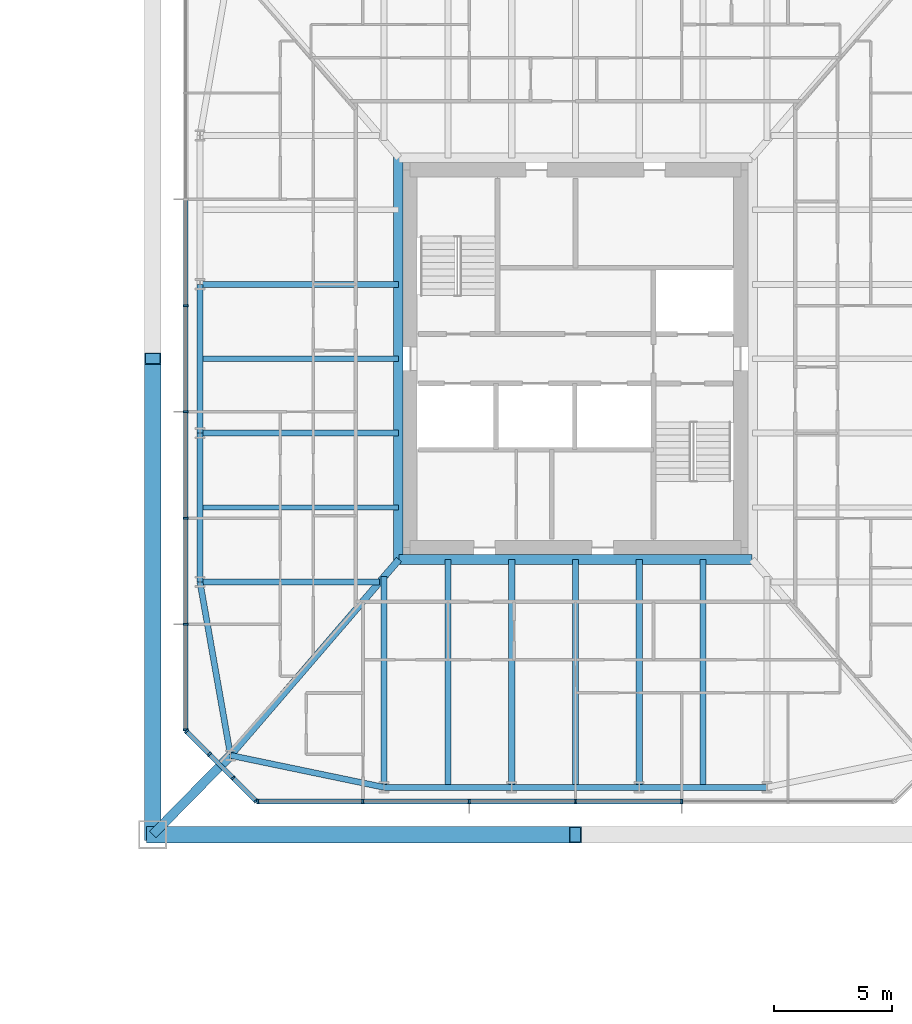
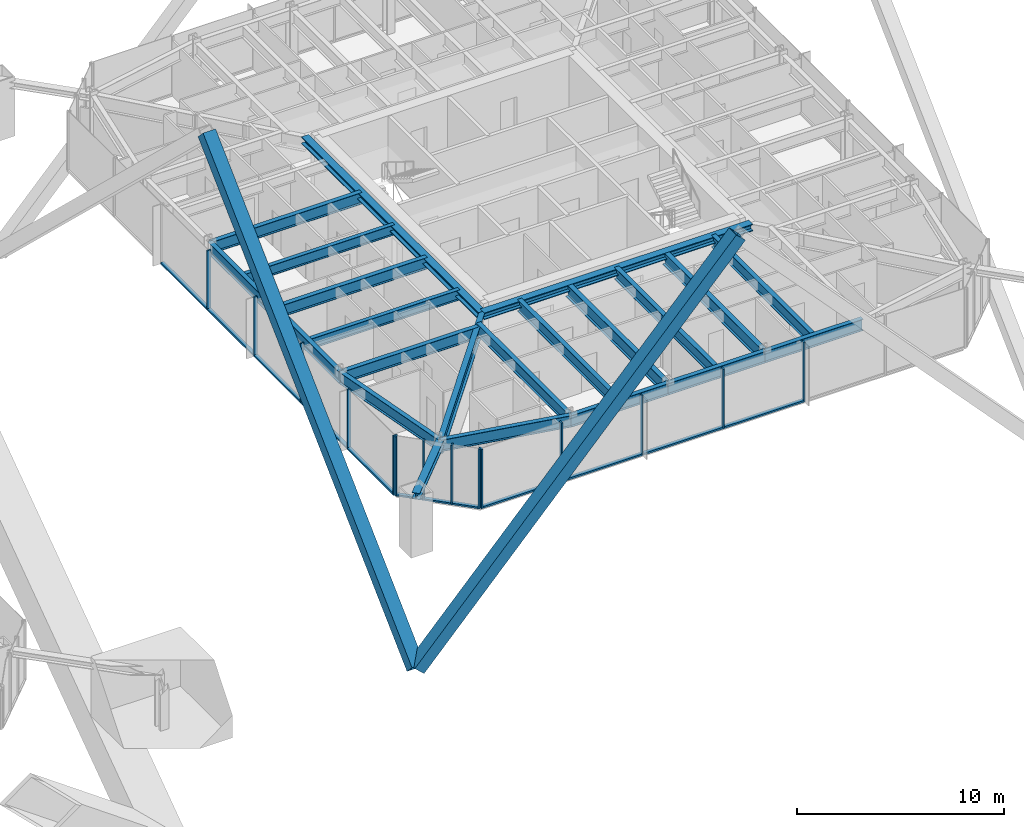
# One storey, part 10 of 28: 29 members, 21 beams, 3 elements without a shape of their own.
"""IFC4 building model written with IfcOpenShell, lengths in metres."""

from ifc_helpers import new_model, si_unit, direction, frame, origin, origin_2d, place, context, subcontext, project, spatial, rectangle, hollow_rectangle, i_section, extrude, material, material_profile, profile_set, type_object, element, aggregate, save


model = new_model("IFC4")

# Units and contexts
model_context = context("Model", 3, precision=1e-05, world=origin(), true_north=direction((0.0, 1.0)))
body_context = subcontext(model_context, "Body", "Model", "MODEL_VIEW")
ifc_project = project(units=[si_unit("LENGTHUNIT", "METRE"), si_unit("AREAUNIT", "SQUARE_METRE"), si_unit("VOLUMEUNIT", "CUBIC_METRE"), si_unit("PLANEANGLEUNIT", "RADIAN"), si_unit("MASSUNIT", "GRAM", prefix="KILO")], contexts=[model_context])

# Site, building, storey
site_placement = place(None, origin())
site = spatial("IfcSite", under=ifc_project, at=site_placement, CompositionType="ELEMENT")
building_placement = place(site_placement, origin())
building = spatial("IfcBuilding", under=site, at=building_placement, Name="Iwan Alto Co-Living Towers", CompositionType="ELEMENT")
storey_placement = place(building_placement, frame((0.0, 0.0, 43.0)))
storey = spatial("IfcBuildingStorey", under=building, at=storey_placement, Name="L11", CompositionType="ELEMENT", Elevation=43.0)

# Curtain wall, members
ifc_material_1 = material(Name="Bronze aluminium unitised frame", Category="aluminium")
curtain_wall_type_1 = type_object("IfcCurtainWallType", Name="CURTAIN WALL CW-C", PredefinedType="NOTDEFINED", material=ifc_material_1)
curtain_wall_1_placement = place(storey_placement, origin())
curtain_wall_1 = element("IfcCurtainWall", 1, at=curtain_wall_1_placement, inside=storey, type_object=curtain_wall_type_1, Name="T2 curtain wall S L11", PredefinedType="NOTDEFINED")
ifc_material_2 = material(Name="Aluminium 6063-T6 bronze anodised", Category="aluminium")
ifc_material_profile_1 = material_profile(ifc_material_2, rectangle(XDim=0.199951171875, YDim=0.080078125, at=origin_2d()), Name="AL 80X200")
ifc_profile_set_1 = profile_set([ifc_material_profile_1], Name="Aluminium 6063-T6 bronze anodised")
member_type_1 = type_object("IfcMemberType", Name="CW-C MULLION 80X200", PredefinedType="MULLION", material=ifc_profile_set_1)
member_1_placement = place(storey_placement, frame((49.5400390625, -18.75, 0.0), z_axis=(0.0, 0.0, 1.0), x_axis=(0.0, 1.0, 0.0)))
member_1 = element("IfcMember", 2, at=member_1_placement, type_object=member_type_1, Name="CW-C mullion 1", PredefinedType="MULLION", context=body_context, shape_type="SweptSolid", body=[
    extrude(rectangle(XDim=0.199951171875, YDim=0.080078125, at=origin_2d()), origin(), (0.0, 0.0, 1.0), 3.5),
])
member_2_placement = place(storey_placement, frame((54.0, -18.75, 0.0), z_axis=(0.0, 0.0, 1.0), x_axis=(0.0, 1.0, 0.0)))
member_2 = element("IfcMember", 3, at=member_2_placement, type_object=member_type_1, Name="CW-C mullion 2", PredefinedType="MULLION", context=body_context, shape_type="SweptSolid", body=[
    extrude(rectangle(XDim=0.199951171875, YDim=0.080078125, at=origin_2d()), origin(), (0.0, 0.0, 1.0), 3.5),
])
member_3_placement = place(storey_placement, frame((58.5, -18.75, 0.0), z_axis=(0.0, 0.0, 1.0), x_axis=(0.0, 1.0, 0.0)))
member_3 = element("IfcMember", 4, at=member_3_placement, type_object=member_type_1, Name="CW-C mullion 3", PredefinedType="MULLION", context=body_context, shape_type="SweptSolid", body=[
    extrude(rectangle(XDim=0.199951171875, YDim=0.080078125, at=origin_2d()), origin(), (0.0, 0.0, 1.0), 3.5),
])
member_4_placement = place(storey_placement, frame((63.0, -18.75, 0.0), z_axis=(0.0, 0.0, 1.0), x_axis=(0.0, 1.0, 0.0)))
member_4 = element("IfcMember", 5, at=member_4_placement, type_object=member_type_1, Name="CW-C mullion 4", PredefinedType="MULLION", context=body_context, shape_type="SweptSolid", body=[
    extrude(rectangle(XDim=0.199951171875, YDim=0.080078125, at=origin_2d()), origin(), (0.0, 0.0, 1.0), 3.5),
])
member_5_placement = place(storey_placement, frame((67.5, -18.75, 0.0), z_axis=(0.0, 0.0, 1.0), x_axis=(0.0, 1.0, 0.0)))
member_5 = element("IfcMember", 6, at=member_5_placement, type_object=member_type_1, Name="CW-C mullion 5", PredefinedType="MULLION", context=body_context, shape_type="SweptSolid", body=[
    extrude(rectangle(XDim=0.199951171875, YDim=0.080078125, at=origin_2d()), origin(), (0.0, 0.0, 1.0), 3.5),
])

curtain_wall_2_placement = place(storey_placement, origin())
curtain_wall_2 = element("IfcCurtainWall", 7, at=curtain_wall_2_placement, inside=storey, type_object=curtain_wall_type_1, Name="T2 curtain wall W L11", PredefinedType="NOTDEFINED")
member_6_placement = place(storey_placement, frame((46.5, 2.25, 0.0), z_axis=(0.0, 0.0, 1.0), x_axis=(1.0, 0.0, 0.0)))
member_6 = element("IfcMember", 8, at=member_6_placement, type_object=member_type_1, Name="CW-C mullion 4", PredefinedType="MULLION", context=body_context, shape_type="SweptSolid", body=[
    extrude(rectangle(XDim=0.199951171875, YDim=0.080078125, at=origin_2d()), origin(), (0.0, 0.0, 1.0), 3.5),
])
member_7_placement = place(storey_placement, frame((46.5, -2.25, 0.0), z_axis=(0.0, 0.0, 1.0), x_axis=(1.0, 0.0, 0.0)))
member_7 = element("IfcMember", 9, at=member_7_placement, type_object=member_type_1, Name="CW-C mullion 5", PredefinedType="MULLION", context=body_context, shape_type="SweptSolid", body=[
    extrude(rectangle(XDim=0.199951171875, YDim=0.080078125, at=origin_2d()), origin(), (0.0, 0.0, 1.0), 3.5),
])
member_8_placement = place(storey_placement, frame((46.5, -6.75, 0.0), z_axis=(0.0, 0.0, 1.0), x_axis=(1.0, 0.0, 0.0)))
member_8 = element("IfcMember", 10, at=member_8_placement, type_object=member_type_1, Name="CW-C mullion 6", PredefinedType="MULLION", context=body_context, shape_type="SweptSolid", body=[
    extrude(rectangle(XDim=0.199951171875, YDim=0.080078125, at=origin_2d()), origin(), (0.0, 0.0, 1.0), 3.5),
])
member_9_placement = place(storey_placement, frame((46.5, -11.25, 0.0), z_axis=(0.0, 0.0, 1.0), x_axis=(1.0, 0.0, 0.0)))
member_9 = element("IfcMember", 11, at=member_9_placement, type_object=member_type_1, Name="CW-C mullion 7", PredefinedType="MULLION", context=body_context, shape_type="SweptSolid", body=[
    extrude(rectangle(XDim=0.199951171875, YDim=0.080078125, at=origin_2d()), origin(), (0.0, 0.0, 1.0), 3.5),
])
member_10_placement = place(storey_placement, frame((46.5, -15.7099609375, 0.0), z_axis=(0.0, 0.0, 1.0), x_axis=(1.0, 0.0, 0.0)))
member_10 = element("IfcMember", 12, at=member_10_placement, type_object=member_type_1, Name="CW-C mullion 8", PredefinedType="MULLION", context=body_context, shape_type="SweptSolid", body=[
    extrude(rectangle(XDim=0.199951171875, YDim=0.080078125, at=origin_2d()), origin(), (0.0, 0.0, 1.0), 3.5),
])

# Member
ifc_material_3 = material(Name="Aluminium 6063-T6 bronze anodised", Category="aluminium")
ifc_material_profile_2 = material_profile(ifc_material_3, rectangle(XDim=0.199951171875, YDim=0.10009765625, at=origin_2d()), Name="AL 200X100")
ifc_profile_set_2 = profile_set([ifc_material_profile_2], Name="Aluminium 6063-T6 bronze anodised")
member_type_2 = type_object("IfcMemberType", Name="CW-C TRANSOM 200X100", PredefinedType="USERDEFINED", material=ifc_profile_set_2)
member_11_placement = place(storey_placement, frame((49.580078125, -18.75, 0.050048828125), z_axis=(1.0, 0.0, 0.0), x_axis=(0.0, 1.0, 0.0)))
member_11 = element("IfcMember", 13, at=member_11_placement, type_object=member_type_2, Name="CW-C transom 1.1", ObjectType="TRANSOM", PredefinedType="USERDEFINED", context=body_context, shape_type="SweptSolid", body=[
    extrude(rectangle(XDim=0.199951171875, YDim=0.10009765625, at=origin_2d()), origin(), (0.0, 0.0, 1.0), 4.3798828125),
])

member_12_placement = place(storey_placement, frame((54.0400390625, -18.75, 0.050048828125), z_axis=(1.0, 0.0, 0.0), x_axis=(0.0, 1.0, 0.0)))
member_12 = element("IfcMember", 14, at=member_12_placement, type_object=member_type_2, Name="CW-C transom 2.1", ObjectType="TRANSOM", PredefinedType="USERDEFINED", context=body_context, shape_type="SweptSolid", body=[
    extrude(rectangle(XDim=0.199951171875, YDim=0.10009765625, at=origin_2d()), origin(), (0.0, 0.0, 1.0), 4.419921875),
])

member_13_placement = place(storey_placement, frame((58.5400390625, -18.75, 0.050048828125), z_axis=(1.0, 0.0, 0.0), x_axis=(0.0, 1.0, 0.0)))
member_13 = element("IfcMember", 15, at=member_13_placement, type_object=member_type_2, Name="CW-C transom 3.1", ObjectType="TRANSOM", PredefinedType="USERDEFINED", context=body_context, shape_type="SweptSolid", body=[
    extrude(rectangle(XDim=0.199951171875, YDim=0.10009765625, at=origin_2d()), origin(), (0.0, 0.0, 1.0), 4.419921875),
])

member_14_placement = place(storey_placement, frame((63.0400390625, -18.75, 0.050048828125), z_axis=(1.0, 0.0, 0.0), x_axis=(0.0, 1.0, 0.0)))
member_14 = element("IfcMember", 16, at=member_14_placement, type_object=member_type_2, Name="CW-C transom 4.1", ObjectType="TRANSOM", PredefinedType="USERDEFINED", context=body_context, shape_type="SweptSolid", body=[
    extrude(rectangle(XDim=0.199951171875, YDim=0.10009765625, at=origin_2d()), origin(), (0.0, 0.0, 1.0), 4.419921875),
])

aggregate(curtain_wall_1, [member_1, member_2, member_3, member_4, member_5, member_11, member_12, member_13, member_14])

member_15_placement = place(storey_placement, frame((46.5, 6.7099609375, 0.050048828125), z_axis=(0.0, -1.0, 0.0), x_axis=(1.0, 0.0, 0.0)))
member_15 = element("IfcMember", 17, at=member_15_placement, type_object=member_type_2, Name="CW-C transom 3.1", ObjectType="TRANSOM", PredefinedType="USERDEFINED", context=body_context, shape_type="SweptSolid", body=[
    extrude(rectangle(XDim=0.199951171875, YDim=0.10009765625, at=origin_2d()), origin(), (0.0, 0.0, 1.0), 4.419921875),
])

member_16_placement = place(storey_placement, frame((46.5, 2.2099609375, 0.050048828125), z_axis=(0.0, -1.0, 0.0), x_axis=(1.0, 0.0, 0.0)))
member_16 = element("IfcMember", 18, at=member_16_placement, type_object=member_type_2, Name="CW-C transom 4.1", ObjectType="TRANSOM", PredefinedType="USERDEFINED", context=body_context, shape_type="SweptSolid", body=[
    extrude(rectangle(XDim=0.199951171875, YDim=0.10009765625, at=origin_2d()), origin(), (0.0, 0.0, 1.0), 4.419921875),
])

member_17_placement = place(storey_placement, frame((46.5, -2.2900390625, 0.050048828125), z_axis=(0.0, -1.0, 0.0), x_axis=(1.0, 0.0, 0.0)))
member_17 = element("IfcMember", 19, at=member_17_placement, type_object=member_type_2, Name="CW-C transom 5.1", ObjectType="TRANSOM", PredefinedType="USERDEFINED", context=body_context, shape_type="SweptSolid", body=[
    extrude(rectangle(XDim=0.199951171875, YDim=0.10009765625, at=origin_2d()), origin(), (0.0, 0.0, 1.0), 4.419921875),
])

member_18_placement = place(storey_placement, frame((46.5, -6.7900390625, 0.050048828125), z_axis=(0.0, -1.0, 0.0), x_axis=(1.0, 0.0, 0.0)))
member_18 = element("IfcMember", 20, at=member_18_placement, type_object=member_type_2, Name="CW-C transom 6.1", ObjectType="TRANSOM", PredefinedType="USERDEFINED", context=body_context, shape_type="SweptSolid", body=[
    extrude(rectangle(XDim=0.199951171875, YDim=0.10009765625, at=origin_2d()), origin(), (0.0, 0.0, 1.0), 4.419921875),
])

member_19_placement = place(storey_placement, frame((46.5, -11.2900390625, 0.050048828125), z_axis=(0.0, -1.0, 0.0), x_axis=(1.0, 0.0, 0.0)))
member_19 = element("IfcMember", 21, at=member_19_placement, type_object=member_type_2, Name="CW-C transom 7.1", ObjectType="TRANSOM", PredefinedType="USERDEFINED", context=body_context, shape_type="SweptSolid", body=[
    extrude(rectangle(XDim=0.199951171875, YDim=0.10009765625, at=origin_2d()), origin(), (0.0, 0.0, 1.0), 4.3798828125),
])

aggregate(curtain_wall_2, [member_6, member_7, member_8, member_9, member_10, member_15, member_16, member_17, member_18, member_19])

# Curtain wall, members
ifc_material_4 = material(Name="Bronze aluminium unitised frame", Category="aluminium")
curtain_wall_type_2 = type_object("IfcCurtainWallType", Name="CURTAIN WALL CW-D", PredefinedType="NOTDEFINED", material=ifc_material_4)
curtain_wall_3_placement = place(storey_placement, origin())
curtain_wall_3 = element("IfcCurtainWall", 22, at=curtain_wall_3_placement, inside=storey, type_object=curtain_wall_type_2, Name="T2 chamfer curtain wall SW L11", PredefinedType="NOTDEFINED")
ifc_material_5 = material(Name="Aluminium 6063-T6 bronze anodised", Category="aluminium")
ifc_material_profile_3 = material_profile(ifc_material_5, rectangle(XDim=0.199951171875, YDim=0.080078125, at=origin_2d()), Name="AL 80X200")
ifc_profile_set_3 = profile_set([ifc_material_profile_3], Name="Aluminium 6063-T6 bronze anodised")
member_type_3 = type_object("IfcMemberType", Name="CW-D MULLION 80X200", PredefinedType="MULLION", material=ifc_profile_set_3)
member_20_placement = place(storey_placement, frame((46.5283203125, -15.7783203125, 0.0), z_axis=(0.0, 0.0, 1.0), x_axis=(0.707106781187, 0.707106781187, 0.0)))
member_20 = element("IfcMember", 23, at=member_20_placement, type_object=member_type_3, Name="CW-D mullion 1", PredefinedType="MULLION", context=body_context, shape_type="SweptSolid", body=[
    extrude(rectangle(XDim=0.199951171875, YDim=0.080078125, at=origin_2d()), origin(), (0.0, 0.0, 1.0), 3.5),
])
member_21_placement = place(storey_placement, frame((47.5, -16.75, 0.0), z_axis=(0.0, 0.0, 1.0), x_axis=(0.707106781187, 0.707106781187, 0.0)))
member_21 = element("IfcMember", 24, at=member_21_placement, type_object=member_type_3, Name="CW-D mullion 2", PredefinedType="MULLION", context=body_context, shape_type="SweptSolid", body=[
    extrude(rectangle(XDim=0.199951171875, YDim=0.080078125, at=origin_2d()), origin(), (0.0, 0.0, 1.0), 3.5),
])
member_22_placement = place(storey_placement, frame((48.5, -17.75, 0.0), z_axis=(0.0, 0.0, 1.0), x_axis=(0.707106781187, 0.707106781187, 0.0)))
member_22 = element("IfcMember", 25, at=member_22_placement, type_object=member_type_3, Name="CW-D mullion 3", PredefinedType="MULLION", context=body_context, shape_type="SweptSolid", body=[
    extrude(rectangle(XDim=0.199951171875, YDim=0.080078125, at=origin_2d()), origin(), (0.0, 0.0, 1.0), 3.5),
])
member_23_placement = place(storey_placement, frame((49.4716796875, -18.7216796875, 0.0), z_axis=(0.0, 0.0, 1.0), x_axis=(0.707106781187, 0.707106781187, 0.0)))
member_23 = element("IfcMember", 26, at=member_23_placement, type_object=member_type_3, Name="CW-D mullion 4", PredefinedType="MULLION", context=body_context, shape_type="SweptSolid", body=[
    extrude(rectangle(XDim=0.199951171875, YDim=0.080078125, at=origin_2d()), origin(), (0.0, 0.0, 1.0), 3.5),
])
ifc_material_6 = material(Name="Aluminium 6063-T6 bronze anodised", Category="aluminium")
ifc_material_profile_4 = material_profile(ifc_material_6, rectangle(XDim=0.199951171875, YDim=0.10009765625, at=origin_2d()), Name="AL 200X100")
ifc_profile_set_4 = profile_set([ifc_material_profile_4], Name="Aluminium 6063-T6 bronze anodised")
member_type_4 = type_object("IfcMemberType", Name="CW-D TRANSOM 200X100", PredefinedType="USERDEFINED", material=ifc_profile_set_4)
member_24_placement = place(storey_placement, frame((46.556640625, -15.806640625, 0.050048828125), z_axis=(0.707106781187, -0.707106781187, 0.0), x_axis=(0.707106781187, 0.707106781187, 0.0)))
member_24 = element("IfcMember", 27, at=member_24_placement, type_object=member_type_4, Name="CW-D transom 1.1", ObjectType="TRANSOM", PredefinedType="USERDEFINED", context=body_context, shape_type="SweptSolid", body=[
    extrude(rectangle(XDim=0.199951171875, YDim=0.10009765625, at=origin_2d()), origin(), (0.0, 0.0, 1.0), 1.2939453125),
])
member_25_placement = place(storey_placement, frame((47.5283203125, -16.7783203125, 0.050048828125), z_axis=(0.707106781187, -0.707106781187, 0.0), x_axis=(0.707106781187, 0.707106781187, 0.0)))
member_25 = element("IfcMember", 28, at=member_25_placement, type_object=member_type_4, Name="CW-D transom 2.1", ObjectType="TRANSOM", PredefinedType="USERDEFINED", context=body_context, shape_type="SweptSolid", body=[
    extrude(rectangle(XDim=0.199951171875, YDim=0.10009765625, at=origin_2d()), origin(), (0.0, 0.0, 1.0), 1.334228515625),
])
member_26_placement = place(storey_placement, frame((48.5283203125, -17.7783203125, 0.050048828125), z_axis=(0.707106781187, -0.707106781187, 0.0), x_axis=(0.707106781187, 0.707106781187, 0.0)))
member_26 = element("IfcMember", 29, at=member_26_placement, type_object=member_type_4, Name="CW-D transom 3.1", ObjectType="TRANSOM", PredefinedType="USERDEFINED", context=body_context, shape_type="SweptSolid", body=[
    extrude(rectangle(XDim=0.199951171875, YDim=0.10009765625, at=origin_2d()), origin(), (0.0, 0.0, 1.0), 1.2939453125),
])
aggregate(curtain_wall_3, [member_20, member_21, member_22, member_23, member_24, member_25, member_26])

# Beams
ifc_material_7 = material(Name="Steel ASTM A992 Gr 50", Category="steel")
ifc_material_profile_5 = material_profile(ifc_material_7, i_section(OverallWidth=0.40380859375, OverallDepth=0.406494140625, WebThickness=0.027099609375, FlangeThickness=0.043701171875, at=origin_2d()), Name="W14X233")
ifc_profile_set_5 = profile_set([ifc_material_profile_5], Name="Steel ASTM A992 Gr 50")
beam_type_1 = type_object("IfcBeamType", Name="T2 CORE LEDGER BEAM W14X233", PredefinedType="BEAM", material=ifc_profile_set_5)
beam_1_placement = place(storey_placement, frame((55.5263671875, -8.501953125, 3.06689453125), z_axis=(1.0, 0.0, 0.0), x_axis=(0.0, 1.0, 0.0)))
element("IfcBeam", 30, at=beam_1_placement, inside=storey, type_object=beam_type_1, Name="T2 core ledger beam S L12", PredefinedType="BEAM", context=body_context, shape_type="SweptSolid", body=[
    extrude(i_section(OverallWidth=0.40380859375, OverallDepth=0.406494140625, WebThickness=0.027099609375, FlangeThickness=0.043701171875, at=origin_2d()), origin(), (0.0, 0.0, 1.0), 14.947265625),
])
beam_2_placement = place(storey_placement, frame((55.498046875, 8.534912109375, 3.06689453125), z_axis=(0.0, -1.0, 0.0), x_axis=(1.0, 0.0, 0.0)))
element("IfcBeam", 31, at=beam_2_placement, inside=storey, type_object=beam_type_1, Name="T2 core ledger beam W L12", PredefinedType="BEAM", context=body_context, shape_type="SweptSolid", body=[
    extrude(i_section(OverallWidth=0.40380859375, OverallDepth=0.406494140625, WebThickness=0.027099609375, FlangeThickness=0.043701171875, at=origin_2d()), origin(), (0.0, 0.0, 1.0), 17.06982421875),
])
ifc_material_8 = material(Name="Steel ASTM A992 Gr 50", Category="steel")
ifc_material_profile_6 = material_profile(ifc_material_8, i_section(OverallWidth=0.2919921875, OverallDepth=0.8408203125, WebThickness=0.0146484375, FlangeThickness=0.021728515625, at=origin_2d()), Name="W33X130")
ifc_profile_set_6 = profile_set([ifc_material_profile_6], Name="Steel ASTM A992 Gr 50")
beam_type_2 = type_object("IfcBeamType", Name="T2 CORNER GIRDER W33X130", PredefinedType="BEAM", material=ifc_profile_set_6)
beam_3_placement = place(storey_placement, frame((48.393798828125, -16.797119140625, 2.849609375), z_axis=(0.651972301827, 0.758242782788, 0.0), x_axis=(-0.758242782788, 0.651972301827, 0.0)))
element("IfcBeam", 32, at=beam_3_placement, inside=storey, type_object=beam_type_2, Name="T2 corner girder CSW L12", PredefinedType="BEAM", context=body_context, shape_type="SweptSolid", body=[
    extrude(i_section(OverallWidth=0.2919921875, OverallDepth=0.8408203125, WebThickness=0.0146484375, FlangeThickness=0.021728515625, at=origin_2d()), origin(), (0.0, 0.0, 1.0), 10.93994140625),
])
ifc_material_9 = material(Name="Steel ASTM A992 Gr 50", Category="steel")
ifc_material_profile_7 = material_profile(ifc_material_9, i_section(OverallWidth=0.25390625, OverallDepth=0.683349609375, WebThickness=0.012451171875, FlangeThickness=0.018798828125, at=origin_2d()), Name="W27X94")
ifc_profile_set_7 = profile_set([ifc_material_profile_7], Name="Steel ASTM A992 Gr 50")
beam_type_3 = type_object("IfcBeamType", Name="T2 EDGE BEAM W27X94", PredefinedType="BEAM", material=ifc_profile_set_7)
beam_4_placement = place(storey_placement, frame((48.393798828125, -16.797119140625, 2.928466796875), z_axis=(0.979060119423, -0.203571320564, 0.0), x_axis=(0.203571320564, 0.979060119423, 0.0)))
element("IfcBeam", 33, at=beam_4_placement, inside=storey, type_object=beam_type_3, Name="T2 edge beam CSW L12", PredefinedType="BEAM", context=body_context, shape_type="SweptSolid", body=[
    extrude(i_section(OverallWidth=0.25390625, OverallDepth=0.683349609375, WebThickness=0.012451171875, FlangeThickness=0.018798828125, at=origin_2d()), origin(), (0.0, 0.0, 1.0), 6.645263671875),
])
beam_5_placement = place(storey_placement, frame((54.89990234375, -18.14990234375, 2.928466796875), z_axis=(1.0, 0.0, 0.0), x_axis=(0.0, 1.0, 0.0)))
element("IfcBeam", 34, at=beam_5_placement, inside=storey, type_object=beam_type_3, Name="T2 edge beam S1 L12", PredefinedType="BEAM", context=body_context, shape_type="SweptSolid", body=[
    extrude(i_section(OverallWidth=0.25390625, OverallDepth=0.683349609375, WebThickness=0.012451171875, FlangeThickness=0.018798828125, at=origin_2d()), origin(), (0.0, 0.0, 1.0), 5.400146484375),
])
beam_6_placement = place(storey_placement, frame((60.300048828125, -18.14990234375, 2.928466796875), z_axis=(1.0, 0.0, 0.0), x_axis=(0.0, 1.0, 0.0)))
element("IfcBeam", 35, at=beam_6_placement, inside=storey, type_object=beam_type_3, Name="T2 edge beam S2 L12", PredefinedType="BEAM", context=body_context, shape_type="SweptSolid", body=[
    extrude(i_section(OverallWidth=0.25390625, OverallDepth=0.683349609375, WebThickness=0.012451171875, FlangeThickness=0.018798828125, at=origin_2d()), origin(), (0.0, 0.0, 1.0), 5.39990234375),
])
beam_7_placement = place(storey_placement, frame((65.699951171875, -18.14990234375, 2.928466796875), z_axis=(1.0, 0.0, 0.0), x_axis=(0.0, 1.0, 0.0)))
element("IfcBeam", 36, at=beam_7_placement, inside=storey, type_object=beam_type_3, Name="T2 edge beam S3 L12", PredefinedType="BEAM", context=body_context, shape_type="SweptSolid", body=[
    extrude(i_section(OverallWidth=0.25390625, OverallDepth=0.683349609375, WebThickness=0.012451171875, FlangeThickness=0.018798828125, at=origin_2d()), origin(), (0.0, 0.0, 1.0), 5.400146484375),
])
beam_8_placement = place(storey_placement, frame((47.10009765625, 3.14990234375, 2.928466796875), z_axis=(0.0, -1.0, 0.0), x_axis=(1.0, 0.0, 0.0)))
element("IfcBeam", 37, at=beam_8_placement, inside=storey, type_object=beam_type_3, Name="T2 edge beam W2 L12", PredefinedType="BEAM", context=body_context, shape_type="SweptSolid", body=[
    extrude(i_section(OverallWidth=0.25390625, OverallDepth=0.683349609375, WebThickness=0.012451171875, FlangeThickness=0.018798828125, at=origin_2d()), origin(), (0.0, 0.0, 1.0), 6.2998046875),
])
beam_9_placement = place(storey_placement, frame((47.10009765625, -3.14990234375, 2.928466796875), z_axis=(0.0, -1.0, 0.0), x_axis=(1.0, 0.0, 0.0)))
element("IfcBeam", 38, at=beam_9_placement, inside=storey, type_object=beam_type_3, Name="T2 edge beam W3 L12", PredefinedType="BEAM", context=body_context, shape_type="SweptSolid", body=[
    extrude(i_section(OverallWidth=0.25390625, OverallDepth=0.683349609375, WebThickness=0.012451171875, FlangeThickness=0.018798828125, at=origin_2d()), origin(), (0.0, 0.0, 1.0), 6.300048828125),
])
beam_10_placement = place(storey_placement, frame((47.10009765625, -9.449951171875, 2.928466796875), z_axis=(0.173413807283, -0.98484905008, 0.0), x_axis=(0.98484905008, 0.173413807283, 0.0)))
element("IfcBeam", 39, at=beam_10_placement, inside=storey, type_object=beam_type_3, Name="T2 edge beam W4 L12", PredefinedType="BEAM", context=body_context, shape_type="SweptSolid", body=[
    extrude(i_section(OverallWidth=0.25390625, OverallDepth=0.683349609375, WebThickness=0.012451171875, FlangeThickness=0.018798828125, at=origin_2d()), origin(), (0.0, 0.0, 1.0), 7.460205078125),
])

# Members
ifc_material_10 = material(Name="Steel ASTM A572 Gr 50", Category="steel")
ifc_material_profile_8 = material_profile(ifc_material_10, hollow_rectangle(XDim=0.699951171875, YDim=0.699951171875, WallThickness=0.044921875, at=origin_2d()), Name="BOX 700X700X45")
ifc_profile_set_8 = profile_set([ifc_material_profile_8], Name="Steel ASTM A572 Gr 50")
member_type_5 = type_object("IfcMemberType", Name="T2 MEGA BRACE BOX 700X700X45", PredefinedType="BRACE", material=ifc_profile_set_8)
member_27_placement = place(storey_placement, frame((45.10009765625, -20.14990234375, -7.0), z_axis=(0.680959649938, 0.0, 0.732320937264), x_axis=(0.0, 1.0, 0.0)))
element("IfcMember", 40, at=member_27_placement, inside=storey, type_object=member_type_5, Name="T2 mega brace Z1B S 1 lower", PredefinedType="BRACE", context=body_context, shape_type="SweptSolid", body=[
    extrude(hollow_rectangle(XDim=0.699951171875, YDim=0.699951171875, WallThickness=0.044921875, at=origin_2d()), origin(), (0.0, 0.0, 1.0), 26.286376953125),
])
member_28_placement = place(storey_placement, frame((45.10009765625, -20.14990234375, -7.0), z_axis=(0.0, 0.72306867492, 0.690776151405), x_axis=(-1.0, 0.0, 0.0)))
element("IfcMember", 41, at=member_28_placement, inside=storey, type_object=member_type_5, Name="T2 mega brace Z1B W 2 lower", PredefinedType="BRACE", context=body_context, shape_type="SweptSolid", body=[
    extrude(hollow_rectangle(XDim=0.699951171875, YDim=0.699951171875, WallThickness=0.044921875, at=origin_2d()), origin(), (0.0, 0.0, 1.0), 27.8671875),
])
ifc_material_11 = material(Name="Steel ASTM A992 Gr 50", Category="steel")
ifc_material_profile_9 = material_profile(ifc_material_11, i_section(OverallWidth=0.393798828125, OverallDepth=0.3759765625, WebThickness=0.017333984375, FlangeThickness=0.027587890625, at=origin_2d()), Name="W14X145")
ifc_profile_set_9 = profile_set([ifc_material_profile_9], Name="Steel ASTM A992 Gr 50")
member_type_6 = type_object("IfcMemberType", Name="T2 MEGA COLUMN FLOOR TIE W14X145", PredefinedType="STRUT", material=ifc_profile_set_9)
member_29_placement = place(storey_placement, frame((45.10009765625, -20.14990234375, 3.08203125), z_axis=(0.700793469544, 0.71336422187, 0.0), x_axis=(-0.71336422187, 0.700793469544, 0.0)))
element("IfcMember", 42, at=member_29_placement, inside=storey, type_object=member_type_6, Name="T2 mega column floor tie SW L12", PredefinedType="STRUT", context=body_context, shape_type="SweptSolid", body=[
    extrude(i_section(OverallWidth=0.393798828125, OverallDepth=0.3759765625, WebThickness=0.017333984375, FlangeThickness=0.027587890625, at=origin_2d()), origin(), (0.0, 0.0, 1.0), 4.699951171875),
])

# Beams
ifc_material_12 = material(Name="Steel ASTM A992 Gr 50", Category="steel")
ifc_material_profile_10 = material_profile(ifc_material_12, i_section(OverallWidth=0.25390625, OverallDepth=0.683349609375, WebThickness=0.012451171875, FlangeThickness=0.018798828125, at=origin_2d()), Name="W27X94")
ifc_profile_set_10 = profile_set([ifc_material_profile_10], Name="Steel ASTM A992 Gr 50")
beam_type_4 = type_object("IfcBeamType", Name="T2 RADIAL BEAM W27X94", PredefinedType="BEAM", material=ifc_profile_set_10)
beam_11_placement = place(storey_placement, frame((54.89990234375, -18.14990234375, 2.928466796875), z_axis=(0.0, 1.0, 0.0), x_axis=(-1.0, 0.0, 0.0)))
element("IfcBeam", 43, at=beam_11_placement, inside=storey, type_object=beam_type_4, Name="T2 radial beam S1 L12", PredefinedType="BEAM", context=body_context, shape_type="SweptSolid", body=[
    extrude(i_section(OverallWidth=0.25390625, OverallDepth=0.683349609375, WebThickness=0.012451171875, FlangeThickness=0.018798828125, at=origin_2d()), origin(), (0.0, 0.0, 1.0), 8.91943359375),
])
for number, where, z_axis, x_axis, name in (
    (44, (47.10009765625, 3.14990234375, 2.928466796875), (1.0, 0.0, 0.0), (0.0, 1.0, 0.0), "T2 radial beam W2 L12"),
    (45, (47.10009765625, -3.14990234375, 2.928466796875), (1.0, 0.0, 0.0), (0.0, 1.0, 0.0), "T2 radial beam W3 L12"),
):
    element("IfcBeam", number, at=place(storey_placement, frame(where, z_axis=z_axis, x_axis=x_axis)), inside=storey, type_object=beam_type_4, Name=name, PredefinedType="BEAM", context=body_context, shape_type="SweptSolid", body=[
        extrude(i_section(OverallWidth=0.25390625, OverallDepth=0.683349609375, WebThickness=0.012451171875, FlangeThickness=0.018798828125, at=origin_2d()), origin(), (0.0, 0.0, 1.0), 8.39794921875),
    ])
beam_12_placement = place(storey_placement, frame((47.10009765625, -9.449951171875, 2.928466796875), z_axis=(1.0, 0.0, 0.0), x_axis=(0.0, 1.0, 0.0)))
element("IfcBeam", 46, at=beam_12_placement, inside=storey, type_object=beam_type_4, Name="T2 radial beam W4 L12", PredefinedType="BEAM", context=body_context, shape_type="SweptSolid", body=[
    extrude(i_section(OverallWidth=0.25390625, OverallDepth=0.683349609375, WebThickness=0.012451171875, FlangeThickness=0.018798828125, at=origin_2d()), origin(), (0.0, 0.0, 1.0), 7.611083984375),
])
ifc_material_13 = material(Name="Steel ASTM A992 Gr 50", Category="steel")
ifc_material_profile_11 = material_profile(ifc_material_13, i_section(OverallWidth=0.2666015625, OverallDepth=0.761962890625, WebThickness=0.014404296875, FlangeThickness=0.021484375, at=origin_2d()), Name="W30X116")
ifc_profile_set_11 = profile_set([ifc_material_profile_11], Name="Steel ASTM A992 Gr 50")
beam_type_5 = type_object("IfcBeamType", Name="T2 RADIAL BEAM W30X116", PredefinedType="BEAM", material=ifc_profile_set_11)
for number, where, z_axis, x_axis, name in (
    (47, (60.300048828125, -18.14990234375, 2.888916015625), (0.0, 1.0, 0.0), (-1.0, 0.0, 0.0), "T2 radial beam S2 L12"),
    (48, (65.699951171875, -18.14990234375, 2.888916015625), (0.0, 1.0, 0.0), (-1.0, 0.0, 0.0), "T2 radial beam S3 L12"),
):
    element("IfcBeam", number, at=place(storey_placement, frame(where, z_axis=z_axis, x_axis=x_axis)), inside=storey, type_object=beam_type_5, Name=name, PredefinedType="BEAM", context=body_context, shape_type="SweptSolid", body=[
        extrude(i_section(OverallWidth=0.2666015625, OverallDepth=0.761962890625, WebThickness=0.014404296875, FlangeThickness=0.021484375, at=origin_2d()), origin(), (0.0, 0.0, 1.0), 9.64794921875),
    ])
ifc_material_14 = material(Name="Steel ASTM A992 Gr 50", Category="steel")
ifc_material_profile_12 = material_profile(ifc_material_14, i_section(OverallWidth=0.228271484375, OverallDepth=0.607177734375, WebThickness=0.01123046875, FlangeThickness=0.017333984375, at=origin_2d()), Name="W24X76")
ifc_profile_set_12 = profile_set([ifc_material_profile_12], Name="Steel ASTM A992 Gr 50")
beam_type_6 = type_object("IfcBeamType", Name="T2 SECONDARY BEAM W24X76", PredefinedType="JOIST", material=ifc_profile_set_12)
for number, where, z_axis, x_axis, name in (
    (49, (47.10009765625, 0.0, 2.966552734375), (1.0, 0.0, 0.0), (0.0, 1.0, 0.0), "T2 secondary beam W2 L12"),
    (50, (47.10009765625, -6.300048828125, 2.966552734375), (1.0, 0.0, 0.0), (0.0, 1.0, 0.0), "T2 secondary beam W3 L12"),
):
    element("IfcBeam", number, at=place(storey_placement, frame(where, z_axis=z_axis, x_axis=x_axis)), inside=storey, type_object=beam_type_6, Name=name, PredefinedType="JOIST", context=body_context, shape_type="SweptSolid", body=[
        extrude(i_section(OverallWidth=0.228271484375, OverallDepth=0.607177734375, WebThickness=0.01123046875, FlangeThickness=0.017333984375, at=origin_2d()), origin(), (0.0, 0.0, 1.0), 8.39794921875),
    ])
ifc_material_15 = material(Name="Steel ASTM A992 Gr 50", Category="steel")
ifc_material_profile_13 = material_profile(ifc_material_15, i_section(OverallWidth=0.25390625, OverallDepth=0.683349609375, WebThickness=0.012451171875, FlangeThickness=0.018798828125, at=origin_2d()), Name="W27X94")
ifc_profile_set_13 = profile_set([ifc_material_profile_13], Name="Steel ASTM A992 Gr 50")
beam_type_7 = type_object("IfcBeamType", Name="T2 SECONDARY BEAM W27X94", PredefinedType="JOIST", material=ifc_profile_set_13)
for number, where, z_axis, x_axis, name in (
    (51, (57.60009765625, -18.14990234375, 2.928466796875), (0.0, 1.0, 0.0), (-1.0, 0.0, 0.0), "T2 secondary beam S1 L12"),
    (52, (63.0, -18.14990234375, 2.928466796875), (0.0, 1.0, 0.0), (-1.0, 0.0, 0.0), "T2 secondary beam S2 L12"),
    (53, (68.39990234375, -18.14990234375, 2.928466796875), (0.0, 1.0, 0.0), (-1.0, 0.0, 0.0), "T2 secondary beam S3 L12"),
):
    element("IfcBeam", number, at=place(storey_placement, frame(where, z_axis=z_axis, x_axis=x_axis)), inside=storey, type_object=beam_type_7, Name=name, PredefinedType="JOIST", context=body_context, shape_type="SweptSolid", body=[
        extrude(i_section(OverallWidth=0.25390625, OverallDepth=0.683349609375, WebThickness=0.012451171875, FlangeThickness=0.018798828125, at=origin_2d()), origin(), (0.0, 0.0, 1.0), 9.64794921875),
    ])

save(model, "model.ifc")
